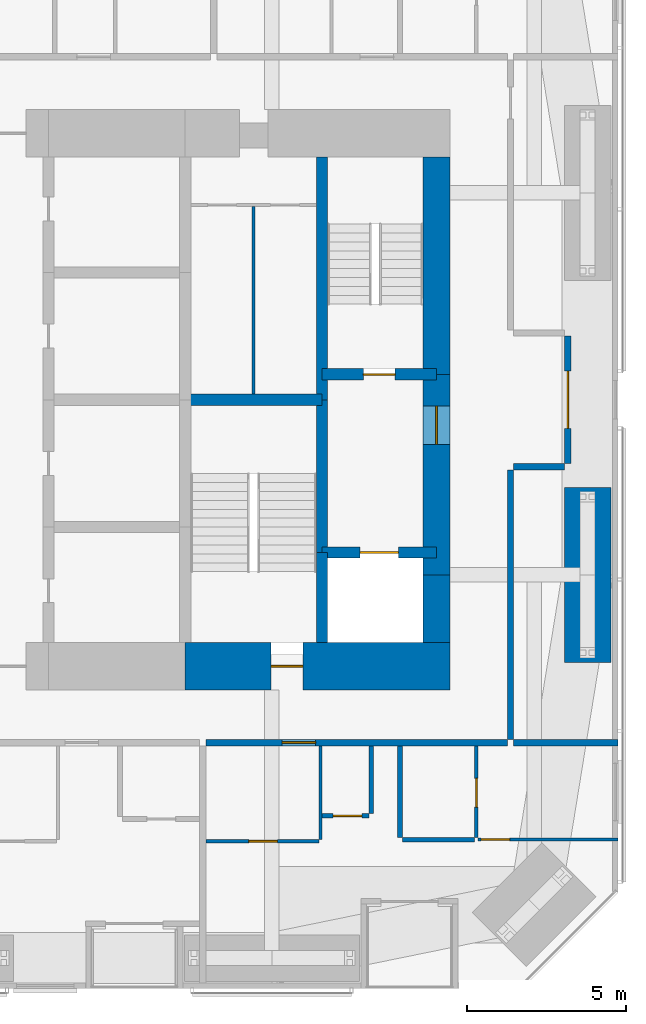
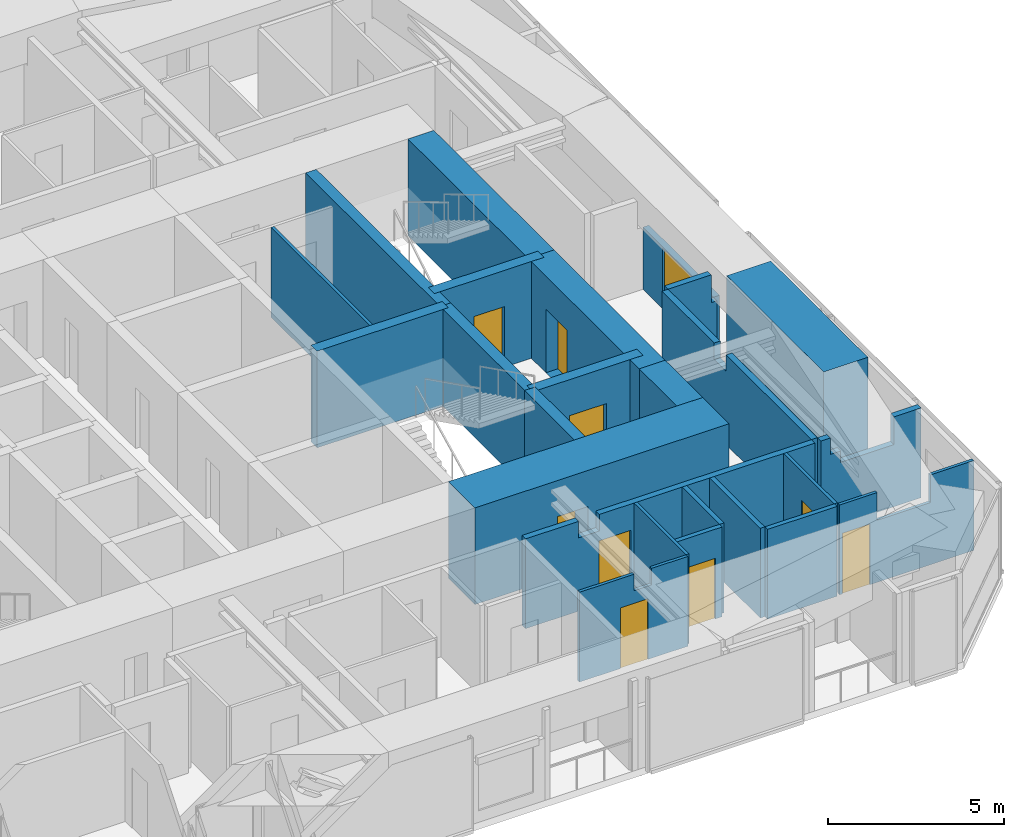
# One storey, part 21 of 25: 25 walls, 10 doors, 10 openings.
"""IFC4 building model written with IfcOpenShell, lengths in metres."""

import ifcopenshell
import ifcopenshell.guid

model = None  # the IFC model being written
_history = None  # IfcOwnerHistory: only IFC2X3 demands one
_inside = {}  # id of a spatial element -> (the spatial element, [elements in it])
_under = {}  # id of a project, library or spatial element -> (it, [spatial elements below it])
_declared = {}  # id of a project -> (the project, [libraries it declares])
_typed = {}  # id of a type object -> (the type object, [elements of that type])
_made_of = {}  # id of a material, layer set ... -> (it, [elements and type objects made of it])


def new_model(schema):
    """Start an empty IFC model of exactly this schema.

    Asked for "IFC4X3", IfcOpenShell would pick the latest addendum, in which some entities
    have other attributes; the version numbers below select the first issue.
    IFC2X3 requires an IfcOwnerHistory on every rooted entity: one is made here for all.
    """
    global model, _history
    if schema == "IFC4X3":
        model = ifcopenshell.file(schema_version=(4, 3, 0, 0))
    else:
        model = ifcopenshell.file(schema=schema)
    _inside.clear()
    _under.clear()
    _declared.clear()
    _typed.clear()
    _made_of.clear()
    _history = None
    if model.schema == "IFC2X3":
        org = make("IfcOrganization", Name="unknown")
        user = make(
            "IfcPersonAndOrganization",
            ThePerson=make("IfcPerson", FamilyName="unknown"),
            TheOrganization=org,
        )
        app = make(
            "IfcApplication",
            ApplicationDeveloper=org,
            Version="unknown",
            ApplicationFullName="unknown",
            ApplicationIdentifier="unknown",
        )
        _history = make(
            "IfcOwnerHistory",
            OwningUser=user,
            OwningApplication=app,
            ChangeAction="ADDED",
            CreationDate=0,
        )
    return model


def make(cls, **values):
    """One entity of the class cls with the attributes given. An attribute that is None is left unset."""
    return model.create_entity(
        cls, **{name: value for name, value in values.items() if value is not None}
    )


def rooted(cls, **values):
    """An entity with a GlobalId (a new one), such as an element, a storey or a relation."""
    return make(cls, GlobalId=ifcopenshell.guid.new(), OwnerHistory=_history, **values)


def si_unit(unit_type, name, prefix=None):
    """IfcSIUnit, for example si_unit("LENGTHUNIT", "METRE", prefix="MILLI")."""
    return make("IfcSIUnit", UnitType=unit_type, Prefix=prefix, Name=name)


def assignment(units):
    """IfcUnitAssignment: the units of a project."""
    return None if units is None else make("IfcUnitAssignment", Units=units)


def point(xyz):
    """IfcCartesianPoint."""
    return None if xyz is None else make("IfcCartesianPoint", Coordinates=xyz)


def direction(xyz):
    """IfcDirection."""
    return None if xyz is None else make("IfcDirection", DirectionRatios=xyz)


def frame(location, z_axis=None, x_axis=None):
    """IfcAxis2Placement3D, a coordinate frame: its origin and axes. An axis left out is left unset."""
    return make(
        "IfcAxis2Placement3D",
        Location=point(location),
        Axis=direction(z_axis),
        RefDirection=direction(x_axis),
    )


def frame_2d(location, x_axis=None):
    """IfcAxis2Placement2D, a coordinate frame in the plane: its origin and x axis."""
    return make(
        "IfcAxis2Placement2D", Location=point(location), RefDirection=direction(x_axis)
    )


def origin():
    """The frame at (0, 0, 0) with its axes left unset."""
    return frame((0.0, 0.0, 0.0))


def place(relative_to, where):
    """IfcLocalPlacement: puts the frame where relative to a parent placement (None: the world)."""
    return make(
        "IfcLocalPlacement", PlacementRelTo=relative_to, RelativePlacement=where
    )


def context(
    kind, dimensions, precision=None, world=None, true_north=None, identifier=None
):
    """IfcGeometricRepresentationContext, for example the 3D "Model" context."""
    return make(
        "IfcGeometricRepresentationContext",
        ContextIdentifier=identifier,
        ContextType=kind,
        CoordinateSpaceDimension=dimensions,
        Precision=precision,
        WorldCoordinateSystem=world,
        TrueNorth=true_north,
    )


def subcontext(parent, identifier, kind, view, scale=None):
    """IfcGeometricRepresentationSubContext, for example "Body" below "Model"."""
    return make(
        "IfcGeometricRepresentationSubContext",
        ContextIdentifier=identifier,
        ContextType=kind,
        ParentContext=parent,
        TargetScale=scale,
        TargetView=view,
    )


def project(units=None, contexts=None):
    """IfcProject with its units and contexts."""
    return rooted(
        "IfcProject",
        Name="project",
        RepresentationContexts=contexts,
        UnitsInContext=assignment(units),
    )


def spatial(cls, under=None, at=None, **own):
    """A site, building, storey or space (cls), placed at a placement, below another one or the project."""
    s = rooted(cls, ObjectPlacement=at, **own)
    if under is not None:
        _under.setdefault(under.id(), (under, []))[1].append(s)
    return s


def polyline(points):
    """IfcPolyline through the points."""
    return make("IfcPolyline", Points=[point(p) for p in points])


def profile(cls, at=None, kind="AREA", **sizes):
    """A parametric profile (cls). Its sizes go by their IFC names, for example OverallWidth=200.0."""
    return make(cls, ProfileType=kind, Position=at, **sizes)


def rectangle(**sizes):
    """IfcRectangleProfileDef."""
    return profile("IfcRectangleProfileDef", **sizes)


def outline(outer, holes=None, kind="AREA"):
    """IfcArbitraryClosedProfileDef: a profile drawn as a closed curve; with holes, ...WithVoids."""
    if holes is None:
        return make("IfcArbitraryClosedProfileDef", ProfileType=kind, OuterCurve=outer)
    return make(
        "IfcArbitraryProfileDefWithVoids",
        ProfileType=kind,
        OuterCurve=outer,
        InnerCurves=holes,
    )


def extrude(swept, where, along, depth):
    """IfcExtrudedAreaSolid: the profile swept, set in the frame where, extruded along a direction by depth."""
    return make(
        "IfcExtrudedAreaSolid",
        SweptArea=swept,
        Position=where,
        ExtrudedDirection=direction(along),
        Depth=depth,
    )


def shape(context_of_items, identifier, shape_type, items):
    """IfcShapeRepresentation: the items that make up one representation, for example the "Body"."""
    return make(
        "IfcShapeRepresentation",
        ContextOfItems=context_of_items,
        RepresentationIdentifier=identifier,
        RepresentationType=shape_type,
        Items=items,
    )


def material(Name=None, Category=None):
    """IfcMaterial."""
    return make("IfcMaterial", Name=Name, Category=Category)


def layer(
    of_material, thickness, ventilated=None, Name=None, Category=None, Priority=None
):
    """IfcMaterialLayer: one layer of a wall or slab, of a material (None: an air gap)."""
    return make(
        "IfcMaterialLayer",
        Material=of_material,
        LayerThickness=thickness,
        IsVentilated=ventilated,
        Name=Name,
        Category=Category,
        Priority=Priority,
    )


def layer_set(layers, Name=None):
    """IfcMaterialLayerSet."""
    return make("IfcMaterialLayerSet", MaterialLayers=layers, LayerSetName=Name)


def constituent(of_material, Name=None, Category=None, fraction=None):
    """IfcMaterialConstituent: one of the materials an element consists of."""
    return make(
        "IfcMaterialConstituent",
        Name=Name,
        Material=of_material,
        Fraction=fraction,
        Category=Category,
    )


def constituent_set(constituents=None, Name=None):
    """IfcMaterialConstituentSet."""
    return make(
        "IfcMaterialConstituentSet", Name=Name, MaterialConstituents=constituents
    )


def made_of(thing, what):
    """Note that an element or type object is made of a material, layer set ...; save() writes the relation."""
    if what is not None:
        _made_of.setdefault(what.id(), (what, []))[1].append(thing)
    return thing


def type_object(cls, material=None, **own):
    """A type object (cls), such as IfcWallType, which elements share."""
    return made_of(rooted(cls, **own), material)


def element(
    cls,
    number,
    at=None,
    inside=None,
    cuts=None,
    type_object=None,
    material=None,
    context=None,
    identifier="Body",
    shape_type=None,
    held_by="IfcProductDefinitionShape",
    body=None,
    shapes=None,
    **own,
):
    """One element of the class cls, such as IfcWall. Its Tag is "e" and its number.

    at: its placement. inside: the storey or other place that contains it. cuts: it is an
    opening in that element (IfcRelVoidsElement). A single representation is given by context,
    identifier, shape_type and body (its items); several are given by shapes. held_by: the class
    of the entity that holds the representations. save() writes the other relations.
    """
    e = rooted(cls, Tag="e%d" % number, ObjectPlacement=at, **own)
    if body is not None:
        shapes = [shape(context, identifier, shape_type, body)]
    if shapes is not None:
        e.Representation = make(held_by, Representations=shapes)
    if inside is not None:
        _inside.setdefault(inside.id(), (inside, []))[1].append(e)
    if cuts is not None:
        rooted(
            "IfcRelVoidsElement", RelatingBuildingElement=cuts, RelatedOpeningElement=e
        )
    if type_object is not None:
        _typed.setdefault(type_object.id(), (type_object, []))[1].append(e)
    return made_of(e, material)


def fill(opening, filler):
    """IfcRelFillsElement: the door or window that sits in an opening."""
    return rooted(
        "IfcRelFillsElement",
        RelatingOpeningElement=opening,
        RelatedBuildingElement=filler,
    )


def aggregate(whole, parts):
    """IfcRelAggregates: a whole, such as a stair, and the parts it consists of."""
    return rooted("IfcRelAggregates", RelatingObject=whole, RelatedObjects=parts)


def save(model, path):
    """Write the relations noted so far, then the file.

    IfcRelAggregates (storeys below a building ...), IfcRelContainedInSpatialStructure (elements
    in a storey), IfcRelDefinesByType, IfcRelAssociatesMaterial and IfcRelDeclares: one each for
    every whole, place, type object, material and project.
    """
    for whole, parts in _under.values():
        aggregate(whole, parts)
    for where, things in _inside.values():
        rooted(
            "IfcRelContainedInSpatialStructure",
            RelatedElements=things,
            RelatingStructure=where,
        )
    for kind, things in _typed.values():
        rooted("IfcRelDefinesByType", RelatedObjects=things, RelatingType=kind)
    for what, things in _made_of.values():
        rooted("IfcRelAssociatesMaterial", RelatedObjects=things, RelatingMaterial=what)
    for by, libraries in _declared.values():
        rooted("IfcRelDeclares", RelatingContext=by, RelatedDefinitions=libraries)
    model.write(path)


model = new_model("IFC4")

# Units and contexts
model_context = context("Model", 3, precision=1e-05, world=origin(), true_north=direction((0.0, 1.0)))
body_context = subcontext(model_context, "Body", "Model", "MODEL_VIEW")
ifc_project = project(units=[si_unit("LENGTHUNIT", "METRE"), si_unit("AREAUNIT", "SQUARE_METRE"), si_unit("VOLUMEUNIT", "CUBIC_METRE"), si_unit("PLANEANGLEUNIT", "RADIAN"), si_unit("MASSUNIT", "GRAM", prefix="KILO")], contexts=[model_context])

# Site, building, storey
site_placement = place(None, origin())
site = spatial("IfcSite", under=ifc_project, at=site_placement, CompositionType="ELEMENT")
building_placement = place(site_placement, origin())
building = spatial("IfcBuilding", under=site, at=building_placement, Name="Jalousie Tower", CompositionType="ELEMENT")
storey_placement = place(building_placement, frame((0.0, 0.0, 94.800048828125)))
storey = spatial("IfcBuildingStorey", under=building, at=storey_placement, Name="L25", CompositionType="ELEMENT", Elevation=94.800048828125)

# Walls
ifc_material_1 = material(Name="Concrete block ASTM C90", Category="concrete")
ifc_constituent_1 = constituent(ifc_material_1, Name="Body")
ifc_material_2 = material(Name="Render")
ifc_constituent_2 = constituent(ifc_material_2, Name="Finish")
ifc_constituent_set_1 = constituent_set(constituents=[ifc_constituent_1, ifc_constituent_2])
wall_type_1 = type_object("IfcWallType", Name="BATHROOM WALL 150", PredefinedType="PLUMBINGWALL", material=ifc_constituent_set_1)
wall_1_placement = place(storey_placement, frame((42.72509765625, 4.67578125, 0.0), z_axis=(0.0, 0.0, 1.0), x_axis=(1.0, 0.0, 0.0)))
element("IfcWall", 1, at=wall_1_placement, inside=storey, type_object=wall_type_1, Name="Bathroom Wall 150 L25", PredefinedType="PLUMBINGWALL", context=body_context, shape_type="SweptSolid", body=[
    extrude(rectangle(XDim=2.27490234375, YDim=0.14990234375, at=frame_2d((1.137451171875, 0.0))), origin(), (0.0, 0.0, 1.0), 3.10986328125),
])
wall_2_placement = place(storey_placement, frame((42.64990234375, 4.7509765625, 0.0), z_axis=(0.0, 0.0, 1.0), x_axis=(0.0, 1.0, 0.0)))
element("IfcWall", 2, at=wall_2_placement, inside=storey, type_object=wall_type_1, Name="Bathroom Wall 150 L25", PredefinedType="PLUMBINGWALL", context=body_context, shape_type="SweptSolid", body=[
    extrude(rectangle(XDim=2.8740234375, YDim=0.14990234375, at=frame_2d((1.43701171875, 0.0))), origin(), (0.0, 0.0, 1.0), 3.10986328125),
])

# Wall, opening, door
wall_3_placement = place(storey_placement, frame((40.199951171875, 5.425048828125, 0.0), z_axis=(0.0, 0.0, 1.0), x_axis=(1.0, 0.0, 0.0)))
wall_3 = element("IfcWall", 3, at=wall_3_placement, inside=storey, type_object=wall_type_1, Name="Bathroom Wall 150 L25", PredefinedType="PLUMBINGWALL", context=body_context, shape_type="SweptSolid", body=[
    extrude(rectangle(XDim=1.47509765625, YDim=0.14990234375, at=frame_2d((0.737548828125, 0.0))), origin(), (0.0, 0.0, 1.0), 3.10986328125),
])
opening_1_placement = place(wall_3_placement, frame((0.35009765625, 0.0, 0.0)))
opening_1 = element("IfcOpeningElement", 4, at=opening_1_placement, cuts=wall_3, Name="Opening D7", PredefinedType="OPENING", context=body_context, shape_type="SweptSolid", body=[
    extrude(rectangle(XDim=0.89990234375, YDim=2.10009765625, at=frame_2d((0.449951171875, 1.050048828125))), frame((0.0, 0.0849609375, 0.0), z_axis=(0.0, -1.0, 0.0), x_axis=(1.0, 0.0, 0.0)), (0.0, 0.0, 1.0), 0.169921875),
])
ifc_material_3 = material(Name="Timber door", Category="wood")
door_type_1 = type_object("IfcDoorType", Name="INTERNAL DOOR 900", OperationType="SINGLE_SWING_LEFT", PredefinedType="DOOR", material=ifc_material_3)
door_1_placement = place(opening_1_placement, origin())
door_1 = element("IfcDoor", 5, at=door_1_placement, inside=storey, type_object=door_type_1, Name="Apartment 2503 guest WC door", OperationType="SINGLE_SWING_RIGHT", OverallHeight=2.10009765625, OverallWidth=0.89990234375, PredefinedType="DOOR", context=body_context, shape_type="SweptSolid", body=[
    extrude(rectangle(XDim=0.89990234375, YDim=2.10009765625, at=frame_2d((0.449951171875, 1.050048828125))), frame((0.0, 0.02490234375, 0.0), z_axis=(0.0, -1.0, 0.0), x_axis=(1.0, 0.0, 0.0)), (0.0, 0.0, 1.0), 0.050048828125),
])
fill(opening_1, door_1)

# Wall
wall_4_placement = place(storey_placement, frame((41.75, 5.5, 0.0), z_axis=(0.0, 0.0, 1.0), x_axis=(0.0, 1.0, 0.0)))
element("IfcWall", 6, at=wall_4_placement, inside=storey, type_object=wall_type_1, Name="Bathroom Wall 150 L25", PredefinedType="PLUMBINGWALL", context=body_context, shape_type="SweptSolid", body=[
    extrude(rectangle(XDim=2.125, YDim=0.14990234375, at=frame_2d((1.0625, 0.0))), origin(), (0.0, 0.0, 1.0), 3.10986328125),
])

# Wall, opening, door
ifc_material_4 = material(Name="Concrete f'c 120 MPa", Category="concrete")
ifc_layer_1 = layer(ifc_material_4, 1.5)
ifc_layer_set_1 = layer_set([ifc_layer_1], Name="Concrete f'c 120 MPa")
wall_type_2 = type_object("IfcWallType", Name="CORE WALL 1500", PredefinedType="SHEAR", material=ifc_layer_set_1)
wall_5_placement = place(storey_placement, frame((35.89990234375, 10.125, 0.0), z_axis=(0.0, 0.0, 1.0), x_axis=(1.0, 0.0, 0.0)))
wall_5 = element("IfcWall", 7, at=wall_5_placement, inside=storey, type_object=wall_type_2, Name="Core wall SD L25", PredefinedType="SHEAR", context=body_context, shape_type="SweptSolid", body=[
    extrude(rectangle(XDim=8.3251953125, YDim=1.5, at=frame_2d((4.16259765625, 0.0))), origin(), (0.0, 0.0, 1.0), 3.349853515625),
])
opening_2_placement = place(wall_5_placement, frame((2.699951171875, 0.0, 0.0)))
opening_2 = element("IfcOpeningElement", 8, at=opening_2_placement, cuts=wall_5, Name="Opening D10", PredefinedType="OPENING", context=body_context, shape_type="SweptSolid", body=[
    extrude(rectangle(XDim=1.0, YDim=2.10009765625, at=frame_2d((0.5, 1.050048828125))), frame((0.0, 0.760009765625, 0.0), z_axis=(0.0, -1.0, 0.0), x_axis=(1.0, 0.0, 0.0)), (0.0, 0.0, 1.0), 1.52001953125),
])
ifc_material_5 = material(Name="Steel fire door", Category="steel")
door_type_2 = type_object("IfcDoorType", Name="STAIR DOOR 1000", OperationType="SINGLE_SWING_LEFT", PredefinedType="DOOR", material=ifc_material_5)
door_2_placement = place(opening_2_placement, origin())
door_2 = element("IfcDoor", 9, at=door_2_placement, inside=storey, type_object=door_type_2, Name="Exit stair C door", OperationType="SINGLE_SWING_RIGHT", OverallHeight=2.10009765625, OverallWidth=1.0, PredefinedType="DOOR", context=body_context, shape_type="SweptSolid", body=[
    extrude(rectangle(XDim=1.0, YDim=2.10009765625, at=frame_2d((0.5, 1.050048828125))), frame((0.0, 0.02490234375, 0.0), z_axis=(0.0, -1.0, 0.0), x_axis=(1.0, 0.0, 0.0)), (0.0, 0.0, 1.0), 0.050048828125),
])
fill(opening_2, door_2)

# Walls
ifc_material_6 = material(Name="Concrete f'c 120 MPa", Category="concrete")
ifc_layer_2 = layer(ifc_material_6, 0.35009765625)
ifc_layer_set_2 = layer_set([ifc_layer_2], Name="Concrete f'c 120 MPa")
wall_type_3 = type_object("IfcWallType", Name="CORE WALL 350", PredefinedType="SHEAR", material=ifc_layer_set_2)
wall_6_placement = place(storey_placement, frame((40.199951171875, 10.875, 0.0), z_axis=(0.0, 0.0, 1.0), x_axis=(0.0, 1.0, 0.0)))
element("IfcWall", 10, at=wall_6_placement, inside=storey, type_object=wall_type_3, Name="Core wall X40.2A L25", PredefinedType="SHEAR", context=body_context, shape_type="SweptSolid", body=[
    extrude(rectangle(XDim=2.824951171875, YDim=0.35009765625, at=frame_2d((1.41259765625, 0.0))), origin(), (0.0, 0.0, 1.0), 3.349853515625),
])
wall_7_placement = place(storey_placement, frame((40.199951171875, 13.699951171875, 0.0), z_axis=(0.0, 0.0, 1.0), x_axis=(0.0, 1.0, 0.0)))
element("IfcWall", 11, at=wall_7_placement, inside=storey, type_object=wall_type_3, Name="Core wall X40.2B L25", PredefinedType="SHEAR", context=body_context, shape_type="SweptSolid", body=[
    extrude(rectangle(XDim=4.800048828125, YDim=0.35009765625, at=frame_2d((2.39990234375, 0.0))), origin(), (0.0, 0.0, 1.0), 3.349853515625),
])
wall_8_placement = place(storey_placement, frame((40.199951171875, 18.5, 0.0), z_axis=(0.0, 0.0, 1.0), x_axis=(0.0, 1.0, 0.0)))
element("IfcWall", 12, at=wall_8_placement, inside=storey, type_object=wall_type_3, Name="Core wall X40.2C L25", PredefinedType="SHEAR", context=body_context, shape_type="SweptSolid", body=[
    extrude(rectangle(XDim=7.625, YDim=0.35009765625, at=frame_2d((3.8125, 0.0))), origin(), (0.0, 0.0, 1.0), 3.349853515625),
])
wall_9_placement = place(storey_placement, frame((35.89990234375, 18.5, 0.0), z_axis=(0.0, 0.0, 1.0), x_axis=(1.0, 0.0, 0.0)))
element("IfcWall", 13, at=wall_9_placement, inside=storey, type_object=wall_type_3, Name="Core wall Y35.9-18.5 L25", PredefinedType="SHEAR", context=body_context, shape_type="SweptSolid", body=[
    extrude(rectangle(XDim=4.300048828125, YDim=0.35009765625, at=frame_2d((2.14990234375, 0.0))), origin(), (0.0, 0.0, 1.0), 3.349853515625),
])

# Wall, opening, door
wall_10_placement = place(storey_placement, frame((40.199951171875, 13.699951171875, 0.0), z_axis=(0.0, 0.0, 1.0), x_axis=(1.0, 0.0, 0.0)))
wall_10 = element("IfcWall", 14, at=wall_10_placement, inside=storey, type_object=wall_type_3, Name="Core wall Y40.2-13.7 L25", PredefinedType="SHEAR", context=body_context, shape_type="SweptSolid", body=[
    extrude(rectangle(XDim=3.60009765625, YDim=0.35009765625, at=frame_2d((1.800048828125, 0.0))), origin(), (0.0, 0.0, 1.0), 3.349853515625),
])
opening_3_placement = place(wall_10_placement, frame((1.199951171875, 0.0, 0.0)))
opening_3 = element("IfcOpeningElement", 15, at=opening_3_placement, cuts=wall_10, Name="Opening LD2", PredefinedType="OPENING", context=body_context, shape_type="SweptSolid", body=[
    extrude(rectangle(XDim=1.199951171875, YDim=2.10009765625, at=frame_2d((0.60009765625, 1.050048828125))), frame((0.0, 0.18505859375, 0.0), z_axis=(0.0, -1.0, 0.0), x_axis=(1.0, 0.0, 0.0)), (0.0, 0.0, 1.0), 0.3701171875),
])
ifc_material_7 = material(Name="Steel lift landing door", Category="steel")
door_type_3 = type_object("IfcDoorType", Name="LIFT LANDING DOOR 1200", OperationType="SLIDING_TO_LEFT", PredefinedType="DOOR", material=ifc_material_7)
door_3_placement = place(opening_3_placement, origin())
door_3 = element("IfcDoor", 16, at=door_3_placement, inside=storey, type_object=door_type_3, Name="Lift F2 landing door", OperationType="SLIDING_TO_LEFT", OverallHeight=2.10009765625, OverallWidth=1.199951171875, PredefinedType="DOOR", context=body_context, shape_type="SweptSolid", body=[
    extrude(rectangle(XDim=1.199951171875, YDim=2.10009765625, at=frame_2d((0.60009765625, 1.050048828125))), frame((0.0, 0.02490234375, 0.0), z_axis=(0.0, -1.0, 0.0), x_axis=(1.0, 0.0, 0.0)), (0.0, 0.0, 1.0), 0.050048828125),
])
fill(opening_3, door_3)

wall_11_placement = place(storey_placement, frame((40.199951171875, 19.300048828125, 0.0), z_axis=(0.0, 0.0, 1.0), x_axis=(1.0, 0.0, 0.0)))
wall_11 = element("IfcWall", 17, at=wall_11_placement, inside=storey, type_object=wall_type_3, Name="Core wall Y40.2-19.3 L25", PredefinedType="SHEAR", context=body_context, shape_type="SweptSolid", body=[
    extrude(rectangle(XDim=3.60009765625, YDim=0.35009765625, at=frame_2d((1.800048828125, 0.0))), origin(), (0.0, 0.0, 1.0), 3.349853515625),
])
opening_4_placement = place(wall_11_placement, frame((1.300048828125, 0.0, 0.0)))
opening_4 = element("IfcOpeningElement", 18, at=opening_4_placement, cuts=wall_11, Name="Opening D10", PredefinedType="OPENING", context=body_context, shape_type="SweptSolid", body=[
    extrude(rectangle(XDim=1.0, YDim=2.10009765625, at=frame_2d((0.5, 1.050048828125))), frame((0.0, 0.18505859375, 0.0), z_axis=(0.0, -1.0, 0.0), x_axis=(1.0, 0.0, 0.0)), (0.0, 0.0, 1.0), 0.3701171875),
])
door_4_placement = place(opening_4_placement, origin())
door_4 = element("IfcDoor", 19, at=door_4_placement, inside=storey, type_object=door_type_2, Name="Exit stair B door", OperationType="SINGLE_SWING_RIGHT", OverallHeight=2.10009765625, OverallWidth=1.0, PredefinedType="DOOR", context=body_context, shape_type="SweptSolid", body=[
    extrude(rectangle(XDim=1.0, YDim=2.10009765625, at=frame_2d((0.5, 1.050048828125))), frame((0.0, 0.02490234375, 0.0), z_axis=(0.0, -1.0, 0.0), x_axis=(1.0, 0.0, 0.0)), (0.0, 0.0, 1.0), 0.050048828125),
])
fill(opening_4, door_4)

# Wall
ifc_material_8 = material(Name="Concrete f'c 120 MPa", Category="concrete")
ifc_layer_3 = layer(ifc_material_8, 0.85009765625)
ifc_layer_set_3 = layer_set([ifc_layer_3], Name="Concrete f'c 120 MPa")
wall_type_4 = type_object("IfcWallType", Name="CORE WALL 850", PredefinedType="SHEAR", material=ifc_layer_set_3)
wall_12_placement = place(storey_placement, frame((43.800048828125, 10.875, 0.0), z_axis=(0.0, 0.0, 1.0), x_axis=(0.0, 1.0, 0.0)))
element("IfcWall", 20, at=wall_12_placement, inside=storey, type_object=wall_type_4, Name="Core wall EA L25", PredefinedType="SHEAR", context=body_context, shape_type="SweptSolid", body=[
    extrude(rectangle(XDim=2.125, YDim=0.85009765625, at=frame_2d((1.0625, 0.0))), origin(), (0.0, 0.0, 1.0), 3.349853515625),
])

# Wall, opening, door
wall_13_placement = place(storey_placement, frame((43.800048828125, 13.0, 0.0), z_axis=(0.0, 0.0, 1.0), x_axis=(0.0, 1.0, 0.0)))
wall_13 = element("IfcWall", 21, at=wall_13_placement, inside=storey, type_object=wall_type_4, Name="Core wall EB L25", PredefinedType="SHEAR", context=body_context, shape_type="SweptSolid", body=[
    extrude(rectangle(XDim=6.300048828125, YDim=0.85009765625, at=frame_2d((3.14990234375, 0.0))), origin(), (0.0, 0.0, 1.0), 3.349853515625),
])
opening_5_placement = place(wall_13_placement, frame((4.10009765625, 0.0, 0.0)))
opening_5 = element("IfcOpeningElement", 22, at=opening_5_placement, cuts=wall_13, Name="Opening D11", PredefinedType="OPENING", context=body_context, shape_type="SweptSolid", body=[
    extrude(rectangle(XDim=1.199951171875, YDim=2.199951171875, at=frame_2d((0.60009765625, 1.10009765625))), frame((0.0, 0.43505859375, 0.0), z_axis=(0.0, -1.0, 0.0), x_axis=(1.0, 0.0, 0.0)), (0.0, 0.0, 1.0), 0.8701171875),
])
ifc_material_9 = material(Name="Steel fire door", Category="steel")
door_type_4 = type_object("IfcDoorType", Name="FIRE DOOR 1200", OperationType="SINGLE_SWING_LEFT", PredefinedType="DOOR", material=ifc_material_9)
door_5_placement = place(opening_5_placement, origin())
door_5 = element("IfcDoor", 23, at=door_5_placement, inside=storey, type_object=door_type_4, Name="Fire-fighting lobby B door", OperationType="SINGLE_SWING_RIGHT", OverallHeight=2.199951171875, OverallWidth=1.199951171875, PredefinedType="DOOR", context=body_context, shape_type="SweptSolid", body=[
    extrude(rectangle(XDim=1.199951171875, YDim=2.199951171875, at=frame_2d((0.60009765625, 1.10009765625))), frame((0.0, 0.02490234375, 0.0), z_axis=(0.0, -1.0, 0.0), x_axis=(1.0, 0.0, 0.0)), (0.0, 0.0, 1.0), 0.050048828125),
])
fill(opening_5, door_5)

# Wall
wall_14_placement = place(storey_placement, frame((43.800048828125, 19.300048828125, 0.0), z_axis=(0.0, 0.0, 1.0), x_axis=(0.0, 1.0, 0.0)))
element("IfcWall", 24, at=wall_14_placement, inside=storey, type_object=wall_type_4, Name="Core wall EC L25", PredefinedType="SHEAR", context=body_context, shape_type="SweptSolid", body=[
    extrude(rectangle(XDim=6.824951171875, YDim=0.85009765625, at=frame_2d((3.41259765625, 0.0))), origin(), (0.0, 0.0, 1.0), 3.349853515625),
])

# Wall, opening, door
ifc_material_10 = material(Name="Concrete block ASTM C90", Category="concrete")
ifc_constituent_3 = constituent(ifc_material_10, Name="Body")
ifc_material_11 = material(Name="Render")
ifc_constituent_4 = constituent(ifc_material_11, Name="Finish")
ifc_constituent_set_2 = constituent_set(constituents=[ifc_constituent_3, ifc_constituent_4])
wall_type_5 = type_object("IfcWallType", Name="CORRIDOR WALL 200", PredefinedType="PARTITIONING", material=ifc_constituent_set_2)
wall_15_placement = place(storey_placement, frame((36.550048828125, 7.72509765625, 0.0), z_axis=(0.0, 0.0, 1.0), x_axis=(1.0, 0.0, 0.0)))
wall_15 = element("IfcWall", 25, at=wall_15_placement, inside=storey, type_object=wall_type_5, Name="Corridor Wall 200 L25", PredefinedType="PARTITIONING", context=body_context, shape_type="SweptSolid", body=[
    extrude(outline(polyline([(0.0, 0.0), (9.474853515625, 0.0), (9.47509765625, 3.10986328125), (2.412353515625, 3.10986328125), (2.412353515625, 2.541015625), (1.737548828125, 2.541015625), (1.737548828125, 3.10986328125), (0.0, 3.10986328125), (0.0, 0.0)])), frame((0.0, 0.10009765625, 0.0), z_axis=(0.0, -1.0, 0.0), x_axis=(1.0, 0.0, 0.0)), (0.0, 0.0, 1.0), 0.199951171875),
])
opening_6_placement = place(wall_15_placement, frame((2.39990234375, 0.0, 0.0)))
opening_6 = element("IfcOpeningElement", 26, at=opening_6_placement, cuts=wall_15, Name="Opening D1", PredefinedType="OPENING", context=body_context, shape_type="SweptSolid", body=[
    extrude(rectangle(XDim=1.050048828125, YDim=2.199951171875, at=frame_2d((0.52490234375, 1.10009765625))), frame((0.0, 0.10986328125, 0.0), z_axis=(0.0, -1.0, 0.0), x_axis=(1.0, 0.0, 0.0)), (0.0, 0.0, 1.0), 0.219970703125),
])
ifc_material_12 = material(Name="Timber fire door", Category="wood")
door_type_5 = type_object("IfcDoorType", Name="APARTMENT ENTRANCE DOOR 1050", OperationType="SINGLE_SWING_LEFT", PredefinedType="DOOR", material=ifc_material_12)
door_6_placement = place(opening_6_placement, frame((1.050048828125, 0.0, 0.0), z_axis=(0.0, 0.0, 1.0), x_axis=(-1.0, 0.0, 0.0)))
door_6 = element("IfcDoor", 27, at=door_6_placement, inside=storey, type_object=door_type_5, Name="Apartment 2503 entrance", OperationType="SINGLE_SWING_LEFT", OverallHeight=2.199951171875, OverallWidth=1.050048828125, PredefinedType="DOOR", context=body_context, shape_type="SweptSolid", body=[
    extrude(rectangle(XDim=1.050048828125, YDim=2.199951171875, at=frame_2d((0.52490234375, 1.10009765625))), frame((0.0, 0.02490234375, 0.0), z_axis=(0.0, -1.0, 0.0), x_axis=(1.0, 0.0, 0.0)), (0.0, 0.0, 1.0), 0.050048828125),
])
fill(opening_6, door_6)

# Wall
wall_16_placement = place(storey_placement, frame((46.125, 7.824951171875, 0.0), z_axis=(0.0, 0.0, 1.0), x_axis=(0.0, 1.0, 0.0)))
element("IfcWall", 28, at=wall_16_placement, inside=storey, type_object=wall_type_5, Name="Corridor Wall 200 L25", PredefinedType="PARTITIONING", context=body_context, shape_type="SweptSolid", body=[
    extrude(outline(polyline([(0.0, 0.0), (8.47509765625, 0.0), (8.47509765625, 3.10986328125), (5.51220703125, 3.10986328125), (5.51220703125, 2.541015625), (4.837646484375, 2.541015625), (4.837646484375, 3.10986328125), (0.0, 3.10986328125), (0.0, 0.0)])), frame((0.0, 0.10009765625, 0.0), z_axis=(0.0, -1.0, 0.0), x_axis=(1.0, 0.0, 0.0)), (0.0, 0.0, 1.0), 0.199951171875),
])

# Wall, opening, door
wall_17_placement = place(storey_placement, frame((47.925048828125, 16.5, 0.0), z_axis=(0.0, 0.0, 1.0), x_axis=(0.0, 1.0, 0.0)))
wall_17 = element("IfcWall", 29, at=wall_17_placement, inside=storey, type_object=wall_type_5, Name="Corridor Wall 200 L25", PredefinedType="PARTITIONING", context=body_context, shape_type="SweptSolid", body=[
    extrude(outline(polyline([(0.0, 0.0), (4.0, 0.0), (4.0, 3.10986328125), (4.0, 2.14990234375), (0.0, 2.14990234375), (0.0, 3.10986328125), (0.0, 0.0)])), frame((0.0, 0.10009765625, 0.0), z_axis=(0.0, -1.0, 0.0), x_axis=(1.0, 0.0, 0.0)), (0.0, 0.0, 1.0), 0.199951171875),
])
opening_7_placement = place(wall_17_placement, frame((1.10009765625, 0.0, 0.0)))
opening_7 = element("IfcOpeningElement", 30, at=opening_7_placement, cuts=wall_17, Name="Opening D22", PredefinedType="OPENING", context=body_context, shape_type="SweptSolid", body=[
    extrude(rectangle(XDim=1.800048828125, YDim=2.10009765625, at=frame_2d((0.89990234375, 1.050048828125))), frame((0.0, 0.10986328125, 0.0), z_axis=(0.0, -1.0, 0.0), x_axis=(1.0, 0.0, 0.0)), (0.0, 0.0, 1.0), 0.219970703125),
])
ifc_material_13 = material(Name="Timber fire door", Category="wood")
door_type_6 = type_object("IfcDoorType", Name="CORRIDOR DOUBLE DOOR 1800", OperationType="DOUBLE_DOOR_SINGLE_SWING", PredefinedType="DOOR", material=ifc_material_13)
door_7_placement = place(opening_7_placement, frame((1.800048828125, 0.0, 0.0), z_axis=(0.0, 0.0, 1.0), x_axis=(-1.0, 0.0, 0.0)))
door_7 = element("IfcDoor", 31, at=door_7_placement, inside=storey, type_object=door_type_6, Name="Lounge door", OperationType="DOUBLE_DOOR_SINGLE_SWING", OverallHeight=2.10009765625, OverallWidth=1.800048828125, PredefinedType="DOOR", context=body_context, shape_type="SweptSolid", body=[
    extrude(rectangle(XDim=1.800048828125, YDim=2.10009765625, at=frame_2d((0.89990234375, 1.050048828125))), frame((0.0, 0.02490234375, 0.0), z_axis=(0.0, -1.0, 0.0), x_axis=(1.0, 0.0, 0.0)), (0.0, 0.0, 1.0), 0.050048828125),
])
fill(opening_7, door_7)

# Wall
wall_18_placement = place(storey_placement, frame((46.22509765625, 16.39990234375, 0.0), z_axis=(0.0, 0.0, 1.0), x_axis=(1.0, 0.0, 0.0)))
element("IfcWall", 32, at=wall_18_placement, inside=storey, type_object=wall_type_5, Name="Corridor Wall 200 L25", PredefinedType="PARTITIONING", context=body_context, shape_type="SweptSolid", body=[
    extrude(outline(polyline([(0.0, 0.0), (1.599853515625, 0.0), (1.60009765625, 3.10986328125), (1.60009765625, 2.14990234375), (1.4150390625, 2.14990234375), (1.4150390625, 3.10986328125), (0.0, 3.10986328125), (0.0, 0.0)])), frame((0.0, 0.10009765625, 0.0), z_axis=(0.0, -1.0, 0.0), x_axis=(1.0, 0.0, 0.0)), (0.0, 0.0, 1.0), 0.199951171875),
])

# Wall, opening, door
ifc_material_14 = material(Name="Gypsum board", Category="gypsum")
ifc_constituent_5 = constituent(ifc_material_14, Name="Body")
ifc_material_15 = material(Name="Light-gauge steel studs ASTM A653 SS Grade 33", Category="steel")
ifc_constituent_6 = constituent(ifc_material_15, Name="Framing")
ifc_constituent_set_3 = constituent_set(constituents=[ifc_constituent_5, ifc_constituent_6])
wall_type_6 = type_object("IfcWallType", Name="PARTITION 100", PredefinedType="PARTITIONING", material=ifc_constituent_set_3)
wall_19_placement = place(storey_placement, frame((45.050048828125, 4.7509765625, 0.0), z_axis=(0.0, 0.0, 1.0), x_axis=(0.0, 1.0, 0.0)))
wall_19 = element("IfcWall", 33, at=wall_19_placement, inside=storey, type_object=wall_type_6, Name="Partition 100 L25", PredefinedType="PARTITIONING", context=body_context, shape_type="SweptSolid", body=[
    extrude(rectangle(XDim=2.8740234375, YDim=0.10009765625, at=frame_2d((1.43701171875, 0.0))), origin(), (0.0, 0.0, 1.0), 3.10986328125),
])
opening_8_placement = place(wall_19_placement, frame((0.949462890625, 0.0, 0.0)))
opening_8 = element("IfcOpeningElement", 34, at=opening_8_placement, cuts=wall_19, Name="Opening D3", PredefinedType="OPENING", context=body_context, shape_type="SweptSolid", body=[
    extrude(rectangle(XDim=0.89990234375, YDim=2.10009765625, at=frame_2d((0.449951171875, 1.050048828125))), frame((0.0, 0.06005859375, 0.0), z_axis=(0.0, -1.0, 0.0), x_axis=(1.0, 0.0, 0.0)), (0.0, 0.0, 1.0), 0.1201171875),
])
ifc_material_16 = material(Name="Timber door", Category="wood")
door_type_7 = type_object("IfcDoorType", Name="BATHROOM DOOR 900", OperationType="SINGLE_SWING_LEFT", PredefinedType="DOOR", material=ifc_material_16)
door_8_placement = place(opening_8_placement, origin())
door_8 = element("IfcDoor", 35, at=door_8_placement, inside=storey, type_object=door_type_7, Name="Apartment 2503 bedroom 1 bathroom door", OperationType="SINGLE_SWING_LEFT", OverallHeight=2.10009765625, OverallWidth=0.89990234375, PredefinedType="DOOR", context=body_context, shape_type="SweptSolid", body=[
    extrude(rectangle(XDim=0.89990234375, YDim=2.10009765625, at=frame_2d((0.449951171875, 1.050048828125))), frame((0.0, 0.02490234375, 0.0), z_axis=(0.0, -1.0, 0.0), x_axis=(1.0, 0.0, 0.0)), (0.0, 0.0, 1.0), 0.050048828125),
])
fill(opening_8, door_8)

wall_20_placement = place(storey_placement, frame((45.10009765625, 4.67578125, 0.0), z_axis=(0.0, 0.0, 1.0), x_axis=(1.0, 0.0, 0.0)))
wall_20 = element("IfcWall", 36, at=wall_20_placement, inside=storey, type_object=wall_type_6, Name="Partition 100 L25", PredefinedType="PARTITIONING", context=body_context, shape_type="SweptSolid", body=[
    extrude(outline(polyline([(0.0, 0.0), (4.39990234375, 0.0), (4.39990234375, 3.10986328125), (2.971435546875, 3.10986328125), (2.971435546875, 2.14990234375), (1.22900390625, 2.14990234375), (1.22900390625, 3.10986328125), (0.0, 3.10986328125), (0.0, 0.0)])), frame((0.0, 0.050048828125, 0.0), z_axis=(0.0, -1.0, 0.0), x_axis=(1.0, 0.0, 0.0)), (0.0, 0.0, 1.0), 0.10009765625),
])
opening_9_placement = place(wall_20_placement, frame((0.10009765625, 0.0, 0.0)))
opening_9 = element("IfcOpeningElement", 37, at=opening_9_placement, cuts=wall_20, Name="Opening D2", PredefinedType="OPENING", context=body_context, shape_type="SweptSolid", body=[
    extrude(rectangle(XDim=0.89990234375, YDim=2.10009765625, at=frame_2d((0.449951171875, 1.050048828125))), frame((0.0, 0.06005859375, 0.0), z_axis=(0.0, -1.0, 0.0), x_axis=(1.0, 0.0, 0.0)), (0.0, 0.0, 1.0), 0.1201171875),
])
ifc_material_17 = material(Name="Timber door", Category="wood")
door_type_8 = type_object("IfcDoorType", Name="BEDROOM DOOR 900", OperationType="SINGLE_SWING_LEFT", PredefinedType="DOOR", material=ifc_material_17)
door_9_placement = place(opening_9_placement, origin())
door_9 = element("IfcDoor", 38, at=door_9_placement, inside=storey, type_object=door_type_8, Name="Apartment 2503 bedroom 1 door", OperationType="SINGLE_SWING_LEFT", OverallHeight=2.10009765625, OverallWidth=0.89990234375, PredefinedType="DOOR", context=body_context, shape_type="SweptSolid", body=[
    extrude(rectangle(XDim=0.89990234375, YDim=2.10009765625, at=frame_2d((0.449951171875, 1.050048828125))), frame((0.0, 0.02490234375, 0.0), z_axis=(0.0, -1.0, 0.0), x_axis=(1.0, 0.0, 0.0)), (0.0, 0.0, 1.0), 0.050048828125),
])
fill(opening_9, door_9)

wall_21_placement = place(storey_placement, frame((36.550048828125, 4.625, 0.0), z_axis=(0.0, 0.0, 1.0), x_axis=(1.0, 0.0, 0.0)))
wall_21 = element("IfcWall", 39, at=wall_21_placement, inside=storey, type_object=wall_type_6, Name="Partition 100 L25", PredefinedType="PARTITIONING", context=body_context, shape_type="SweptSolid", body=[
    extrude(outline(polyline([(0.0, 0.0), (3.550048828125, 0.0), (3.550048828125, 3.10986328125), (2.3623046875, 3.10986328125), (2.3623046875, 2.541015625), (1.78759765625, 2.541015625), (1.78759765625, 3.10986328125), (0.0, 3.10986328125), (0.0, 0.0)])), frame((0.0, 0.050048828125, 0.0), z_axis=(0.0, -1.0, 0.0), x_axis=(1.0, 0.0, 0.0)), (0.0, 0.0, 1.0), 0.10009765625),
])
opening_10_placement = place(wall_21_placement, frame((1.35009765625, 0.0, 0.0)))
opening_10 = element("IfcOpeningElement", 40, at=opening_10_placement, cuts=wall_21, Name="Opening D7", PredefinedType="OPENING", context=body_context, shape_type="SweptSolid", body=[
    extrude(rectangle(XDim=0.89990234375, YDim=2.10009765625, at=frame_2d((0.449951171875, 1.050048828125))), frame((0.0, 0.06005859375, 0.0), z_axis=(0.0, -1.0, 0.0), x_axis=(1.0, 0.0, 0.0)), (0.0, 0.0, 1.0), 0.1201171875),
])
door_10_placement = place(opening_10_placement, frame((0.89990234375, 0.0, 0.0), z_axis=(0.0, 0.0, 1.0), x_axis=(-1.0, 0.0, 0.0)))
door_10 = element("IfcDoor", 41, at=door_10_placement, inside=storey, type_object=door_type_1, Name="Apartment 2503 kitchen door", OperationType="SINGLE_SWING_RIGHT", OverallHeight=2.10009765625, OverallWidth=0.89990234375, PredefinedType="DOOR", context=body_context, shape_type="SweptSolid", body=[
    extrude(rectangle(XDim=0.89990234375, YDim=2.10009765625, at=frame_2d((0.449951171875, 1.050048828125))), frame((0.0, 0.02490234375, 0.0), z_axis=(0.0, -1.0, 0.0), x_axis=(1.0, 0.0, 0.0)), (0.0, 0.0, 1.0), 0.050048828125),
])
fill(opening_10, door_10)

# Walls
wall_22_placement = place(storey_placement, frame((40.14990234375, 4.675048828125, 0.0), z_axis=(0.0, 0.0, 1.0), x_axis=(0.0, 1.0, 0.0)))
element("IfcWall", 42, at=wall_22_placement, inside=storey, type_object=wall_type_6, Name="Partition 100 L25", PredefinedType="PARTITIONING", context=body_context, shape_type="SweptSolid", body=[
    extrude(rectangle(XDim=2.949951171875, YDim=0.10009765625, at=frame_2d((1.47509765625, 0.0))), origin(), (0.0, 0.0, 1.0), 3.10986328125),
])
wall_23_placement = place(storey_placement, frame((38.050048828125, 18.675048828125, 0.0), z_axis=(0.0, 0.0, 1.0), x_axis=(0.0, 1.0, 0.0)))
element("IfcWall", 43, at=wall_23_placement, inside=storey, type_object=wall_type_6, Name="Partition 100 L25", PredefinedType="PARTITIONING", context=body_context, shape_type="SweptSolid", body=[
    extrude(rectangle(XDim=5.89990234375, YDim=0.10009765625, at=frame_2d((2.949951171875, 0.0))), origin(), (0.0, 0.0, 1.0), 3.10986328125),
])
ifc_material_18 = material(Name="Concrete block ASTM C90", Category="concrete")
ifc_constituent_7 = constituent(ifc_material_18, Name="Body")
ifc_material_19 = material(Name="Render")
ifc_constituent_8 = constituent(ifc_material_19, Name="Finish")
ifc_constituent_set_4 = constituent_set(constituents=[ifc_constituent_7, ifc_constituent_8])
wall_type_7 = type_object("IfcWallType", Name="PARTY WALL 200", PredefinedType="PARTITIONING", material=ifc_constituent_set_4)
wall_24_placement = place(storey_placement, frame((46.22509765625, 7.72509765625, 0.0), z_axis=(0.0, 0.0, 1.0), x_axis=(1.0, 0.0, 0.0)))
element("IfcWall", 44, at=wall_24_placement, inside=storey, type_object=wall_type_7, Name="Party Wall 200 L25", PredefinedType="PARTITIONING", context=body_context, shape_type="SweptSolid", body=[
    extrude(outline(polyline([(0.0, 0.0), (3.27490234375, 0.0), (3.27490234375, 3.10986328125), (2.3916015625, 3.10986328125), (2.3916015625, 2.14990234375), (0.642822265625, 2.14990234375), (0.642822265625, 2.541015625), (0.30615234375, 2.541015625), (0.30615234375, 3.10986328125), (0.0, 3.10986328125), (0.0, 0.0)])), frame((0.0, 0.10009765625, 0.0), z_axis=(0.0, -1.0, 0.0), x_axis=(1.0, 0.0, 0.0)), (0.0, 0.0, 1.0), 0.199951171875),
])
ifc_material_20 = material(Name="Concrete f'c 120 MPa", Category="concrete")
ifc_layer_4 = layer(ifc_material_20, 1.449951171875)
ifc_layer_set_4 = layer_set([ifc_layer_4], Name="Concrete f'c 120 MPa")
wall_type_8 = type_object("IfcWallType", Name="RC WALL PIER 1450", PredefinedType="SHEAR", material=ifc_layer_set_4)
wall_25_placement = place(storey_placement, frame((48.550048828125, 10.25, 0.0), z_axis=(0.0, 0.0, 1.0), x_axis=(0.0, 1.0, 0.0)))
element("IfcWall", 45, at=wall_25_placement, inside=storey, type_object=wall_type_8, Name="Wall pier 06 L25", PredefinedType="SHEAR", context=body_context, shape_type="SweptSolid", body=[
    extrude(rectangle(XDim=5.5, YDim=1.449951171875, at=frame_2d((2.75, 0.0))), origin(), (0.0, 0.0, 1.0), 3.349853515625),
])

save(model, "model.ifc")
